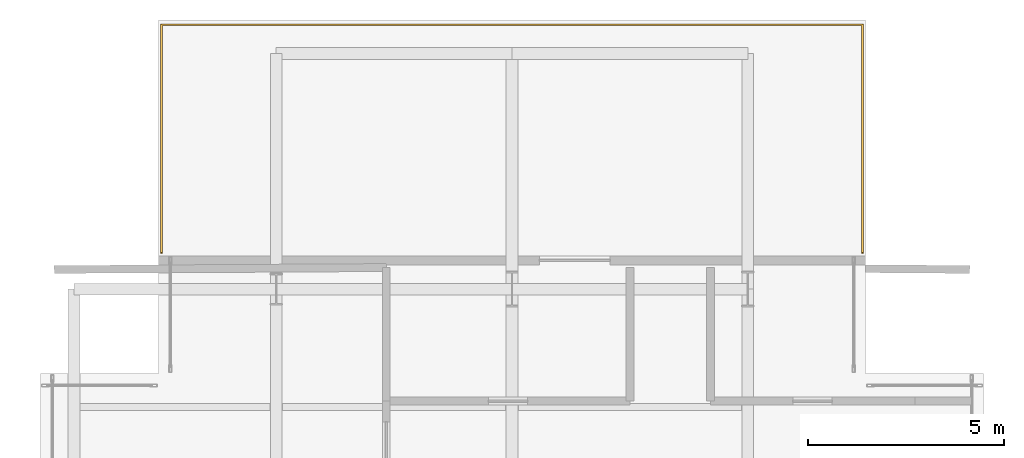
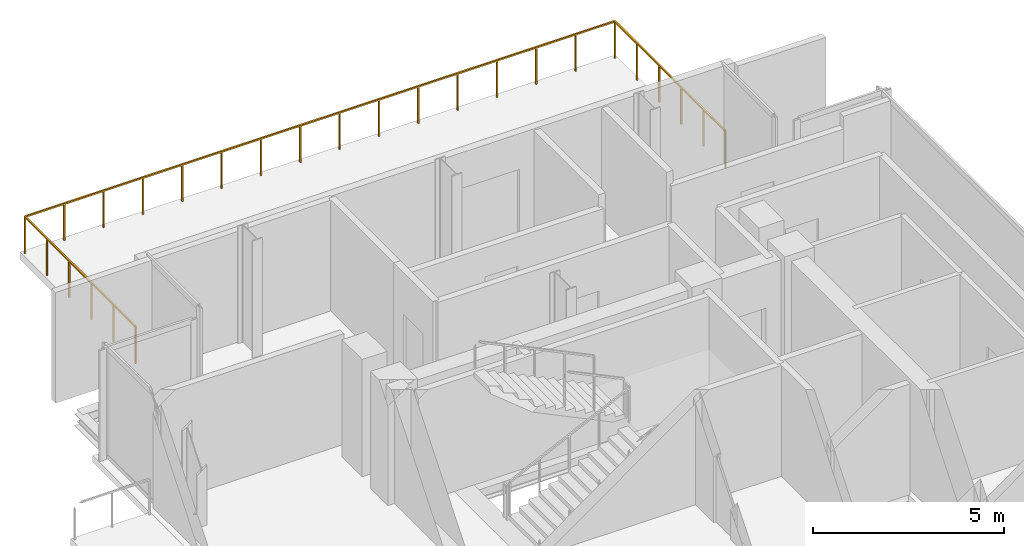
# One storey, part 28 of 28: 1 railing.
"""IFC4 building model written with IfcOpenShell, lengths in metres."""

import ifcopenshell
import ifcopenshell.guid

model = None  # the IFC model being written
_history = None  # IfcOwnerHistory: only IFC2X3 demands one
_inside = {}  # id of a spatial element -> (the spatial element, [elements in it])
_under = {}  # id of a project, library or spatial element -> (it, [spatial elements below it])
_declared = {}  # id of a project -> (the project, [libraries it declares])
_typed = {}  # id of a type object -> (the type object, [elements of that type])
_made_of = {}  # id of a material, layer set ... -> (it, [elements and type objects made of it])


def new_model(schema):
    """Start an empty IFC model of exactly this schema.

    Asked for "IFC4X3", IfcOpenShell would pick the latest addendum, in which some entities
    have other attributes; the version numbers below select the first issue.
    IFC2X3 requires an IfcOwnerHistory on every rooted entity: one is made here for all.
    """
    global model, _history
    if schema == "IFC4X3":
        model = ifcopenshell.file(schema_version=(4, 3, 0, 0))
    else:
        model = ifcopenshell.file(schema=schema)
    _inside.clear()
    _under.clear()
    _declared.clear()
    _typed.clear()
    _made_of.clear()
    _history = None
    if model.schema == "IFC2X3":
        org = make("IfcOrganization", Name="unknown")
        user = make(
            "IfcPersonAndOrganization",
            ThePerson=make("IfcPerson", FamilyName="unknown"),
            TheOrganization=org,
        )
        app = make(
            "IfcApplication",
            ApplicationDeveloper=org,
            Version="unknown",
            ApplicationFullName="unknown",
            ApplicationIdentifier="unknown",
        )
        _history = make(
            "IfcOwnerHistory",
            OwningUser=user,
            OwningApplication=app,
            ChangeAction="ADDED",
            CreationDate=0,
        )
    return model


def make(cls, **values):
    """One entity of the class cls with the attributes given. An attribute that is None is left unset."""
    return model.create_entity(
        cls, **{name: value for name, value in values.items() if value is not None}
    )


def rooted(cls, **values):
    """An entity with a GlobalId (a new one), such as an element, a storey or a relation."""
    return make(cls, GlobalId=ifcopenshell.guid.new(), OwnerHistory=_history, **values)


def si_unit(unit_type, name, prefix=None):
    """IfcSIUnit, for example si_unit("LENGTHUNIT", "METRE", prefix="MILLI")."""
    return make("IfcSIUnit", UnitType=unit_type, Prefix=prefix, Name=name)


def assignment(units):
    """IfcUnitAssignment: the units of a project."""
    return None if units is None else make("IfcUnitAssignment", Units=units)


def point(xyz):
    """IfcCartesianPoint."""
    return None if xyz is None else make("IfcCartesianPoint", Coordinates=xyz)


def direction(xyz):
    """IfcDirection."""
    return None if xyz is None else make("IfcDirection", DirectionRatios=xyz)


def frame(location, z_axis=None, x_axis=None):
    """IfcAxis2Placement3D, a coordinate frame: its origin and axes. An axis left out is left unset."""
    return make(
        "IfcAxis2Placement3D",
        Location=point(location),
        Axis=direction(z_axis),
        RefDirection=direction(x_axis),
    )


def frame_2d(location, x_axis=None):
    """IfcAxis2Placement2D, a coordinate frame in the plane: its origin and x axis."""
    return make(
        "IfcAxis2Placement2D", Location=point(location), RefDirection=direction(x_axis)
    )


def origin():
    """The frame at (0, 0, 0) with its axes left unset."""
    return frame((0.0, 0.0, 0.0))


def origin_2d():
    """The frame at (0, 0) in the plane with its x axis left unset."""
    return frame_2d((0.0, 0.0))


def place(relative_to, where):
    """IfcLocalPlacement: puts the frame where relative to a parent placement (None: the world)."""
    return make(
        "IfcLocalPlacement", PlacementRelTo=relative_to, RelativePlacement=where
    )


def context(
    kind, dimensions, precision=None, world=None, true_north=None, identifier=None
):
    """IfcGeometricRepresentationContext, for example the 3D "Model" context."""
    return make(
        "IfcGeometricRepresentationContext",
        ContextIdentifier=identifier,
        ContextType=kind,
        CoordinateSpaceDimension=dimensions,
        Precision=precision,
        WorldCoordinateSystem=world,
        TrueNorth=true_north,
    )


def subcontext(parent, identifier, kind, view, scale=None):
    """IfcGeometricRepresentationSubContext, for example "Body" below "Model"."""
    return make(
        "IfcGeometricRepresentationSubContext",
        ContextIdentifier=identifier,
        ContextType=kind,
        ParentContext=parent,
        TargetScale=scale,
        TargetView=view,
    )


def project(units=None, contexts=None):
    """IfcProject with its units and contexts."""
    return rooted(
        "IfcProject",
        Name="project",
        RepresentationContexts=contexts,
        UnitsInContext=assignment(units),
    )


def spatial(cls, under=None, at=None, **own):
    """A site, building, storey or space (cls), placed at a placement, below another one or the project."""
    s = rooted(cls, ObjectPlacement=at, **own)
    if under is not None:
        _under.setdefault(under.id(), (under, []))[1].append(s)
    return s


def profile(cls, at=None, kind="AREA", **sizes):
    """A parametric profile (cls). Its sizes go by their IFC names, for example OverallWidth=200.0."""
    return make(cls, ProfileType=kind, Position=at, **sizes)


def rectangle(**sizes):
    """IfcRectangleProfileDef."""
    return profile("IfcRectangleProfileDef", **sizes)


def extrude(swept, where, along, depth):
    """IfcExtrudedAreaSolid: the profile swept, set in the frame where, extruded along a direction by depth."""
    return make(
        "IfcExtrudedAreaSolid",
        SweptArea=swept,
        Position=where,
        ExtrudedDirection=direction(along),
        Depth=depth,
    )


def shape(context_of_items, identifier, shape_type, items):
    """IfcShapeRepresentation: the items that make up one representation, for example the "Body"."""
    return make(
        "IfcShapeRepresentation",
        ContextOfItems=context_of_items,
        RepresentationIdentifier=identifier,
        RepresentationType=shape_type,
        Items=items,
    )


def material(Name=None, Category=None):
    """IfcMaterial."""
    return make("IfcMaterial", Name=Name, Category=Category)


def made_of(thing, what):
    """Note that an element or type object is made of a material, layer set ...; save() writes the relation."""
    if what is not None:
        _made_of.setdefault(what.id(), (what, []))[1].append(thing)
    return thing


def type_object(cls, material=None, **own):
    """A type object (cls), such as IfcWallType, which elements share."""
    return made_of(rooted(cls, **own), material)


def element(
    cls,
    number,
    at=None,
    inside=None,
    cuts=None,
    type_object=None,
    material=None,
    context=None,
    identifier="Body",
    shape_type=None,
    held_by="IfcProductDefinitionShape",
    body=None,
    shapes=None,
    **own,
):
    """One element of the class cls, such as IfcWall. Its Tag is "e" and its number.

    at: its placement. inside: the storey or other place that contains it. cuts: it is an
    opening in that element (IfcRelVoidsElement). A single representation is given by context,
    identifier, shape_type and body (its items); several are given by shapes. held_by: the class
    of the entity that holds the representations. save() writes the other relations.
    """
    e = rooted(cls, Tag="e%d" % number, ObjectPlacement=at, **own)
    if body is not None:
        shapes = [shape(context, identifier, shape_type, body)]
    if shapes is not None:
        e.Representation = make(held_by, Representations=shapes)
    if inside is not None:
        _inside.setdefault(inside.id(), (inside, []))[1].append(e)
    if cuts is not None:
        rooted(
            "IfcRelVoidsElement", RelatingBuildingElement=cuts, RelatedOpeningElement=e
        )
    if type_object is not None:
        _typed.setdefault(type_object.id(), (type_object, []))[1].append(e)
    return made_of(e, material)


def aggregate(whole, parts):
    """IfcRelAggregates: a whole, such as a stair, and the parts it consists of."""
    return rooted("IfcRelAggregates", RelatingObject=whole, RelatedObjects=parts)


def save(model, path):
    """Write the relations noted so far, then the file.

    IfcRelAggregates (storeys below a building ...), IfcRelContainedInSpatialStructure (elements
    in a storey), IfcRelDefinesByType, IfcRelAssociatesMaterial and IfcRelDeclares: one each for
    every whole, place, type object, material and project.
    """
    for whole, parts in _under.values():
        aggregate(whole, parts)
    for where, things in _inside.values():
        rooted(
            "IfcRelContainedInSpatialStructure",
            RelatedElements=things,
            RelatingStructure=where,
        )
    for kind, things in _typed.values():
        rooted("IfcRelDefinesByType", RelatedObjects=things, RelatingType=kind)
    for what, things in _made_of.values():
        rooted("IfcRelAssociatesMaterial", RelatedObjects=things, RelatingMaterial=what)
    for by, libraries in _declared.values():
        rooted("IfcRelDeclares", RelatingContext=by, RelatedDefinitions=libraries)
    model.write(path)


model = new_model("IFC4")

# Units and contexts
model_context = context("Model", 3, precision=1e-05, world=origin(), true_north=direction((0.0, 1.0)))
body_context = subcontext(model_context, "Body", "Model", "MODEL_VIEW")
ifc_project = project(units=[si_unit("LENGTHUNIT", "METRE"), si_unit("AREAUNIT", "SQUARE_METRE"), si_unit("VOLUMEUNIT", "CUBIC_METRE"), si_unit("PLANEANGLEUNIT", "RADIAN"), si_unit("MASSUNIT", "GRAM", prefix="KILO"), si_unit("THERMODYNAMICTEMPERATUREUNIT", "KELVIN"), si_unit("POWERUNIT", "WATT")], contexts=[model_context])

# Site, building, storey
site_placement = place(None, origin())
site = spatial("IfcSite", under=ifc_project, at=site_placement, CompositionType="ELEMENT")
building_placement = place(site_placement, origin())
building = spatial("IfcBuilding", under=site, at=building_placement, Name="Svarakhadi Broadcast Tower", CompositionType="ELEMENT")
storey_placement = place(building_placement, frame((0.0, 0.0, 169.199951171875)))
storey = spatial("IfcBuildingStorey", under=building, at=storey_placement, Name="L41", CompositionType="ELEMENT", Elevation=169.199951171875)

# Railing
ifc_material = material(Name="Anodised Bronze Aluminium AA 6063-T6", Category="aluminium")
railing_type = type_object("IfcRailingType", Name="Guard_Terrace_GR02", PredefinedType="BALUSTRADE", material=ifc_material)
railing_placement = place(storey_placement, frame((3.080078125, 36.080078125, 0.0)))
element("IfcRailing", 1, at=railing_placement, inside=storey, type_object=railing_type, Name="L41 North Setback Sky Garden Guard GR-02", PredefinedType="BALUSTRADE", context=body_context, shape_type="SweptSolid", body=[
    extrude(rectangle(XDim=0.048095703125, YDim=0.048095703125, at=origin_2d()), frame((0.0, 0.0, 1.17578125), z_axis=(0.0, 1.0, 0.0), x_axis=(-1.0, 0.0, 0.0)), (0.0, 0.0, 1.0), 5.7998046875),
    extrude(rectangle(XDim=0.048095703125, YDim=0.048095703125, at=origin_2d()), frame((0.0, 5.7998046875, 1.17578125), z_axis=(1.0, 0.0, 0.0), x_axis=(0.0, 1.0, 0.0)), (0.0, 0.0, 1.0), 17.83984375),
    extrude(rectangle(XDim=0.048095703125, YDim=0.048095703125, at=origin_2d()), frame((17.83984375, 5.7998046875, 1.17578125), z_axis=(0.0, -1.0, 0.0), x_axis=(1.0, 0.0, 0.0)), (0.0, 0.0, 1.0), 5.7998046875),
    extrude(rectangle(XDim=0.0419921875, YDim=0.0419921875, at=origin_2d()), origin(), (0.0, 0.0, 1.0), 1.15185546875),
    extrude(rectangle(XDim=0.0419921875, YDim=0.0419921875, at=origin_2d()), frame((0.0, 1.159912109375, 0.0)), (0.0, 0.0, 1.0), 1.15185546875),
    extrude(rectangle(XDim=0.0419921875, YDim=0.0419921875, at=origin_2d()), frame((0.0, 2.31982421875, 0.0)), (0.0, 0.0, 1.0), 1.15185546875),
    extrude(rectangle(XDim=0.0419921875, YDim=0.0419921875, at=origin_2d()), frame((0.0, 3.47998046875, 0.0)), (0.0, 0.0, 1.0), 1.15185546875),
    extrude(rectangle(XDim=0.0419921875, YDim=0.0419921875, at=origin_2d()), frame((0.0, 4.639892578125, 0.0)), (0.0, 0.0, 1.0), 1.15185546875),
    extrude(rectangle(XDim=0.0419921875, YDim=0.0419921875, at=origin_2d()), frame((0.0, 5.7998046875, 0.0)), (0.0, 0.0, 1.0), 1.15185546875),
    extrude(rectangle(XDim=0.0419921875, YDim=0.0419921875, at=origin_2d()), frame((1.189208984375, 5.7998046875, 0.0)), (0.0, 0.0, 1.0), 1.15185546875),
    extrude(rectangle(XDim=0.0419921875, YDim=0.0419921875, at=origin_2d()), frame((2.378662109375, 5.7998046875, 0.0)), (0.0, 0.0, 1.0), 1.15185546875),
    extrude(rectangle(XDim=0.0419921875, YDim=0.0419921875, at=origin_2d()), frame((3.56787109375, 5.7998046875, 0.0)), (0.0, 0.0, 1.0), 1.15185546875),
    extrude(rectangle(XDim=0.0419921875, YDim=0.0419921875, at=origin_2d()), frame((4.75732421875, 5.7998046875, 0.0)), (0.0, 0.0, 1.0), 1.15185546875),
    extrude(rectangle(XDim=0.0419921875, YDim=0.0419921875, at=origin_2d()), frame((5.946533203125, 5.7998046875, 0.0)), (0.0, 0.0, 1.0), 1.15185546875),
    extrude(rectangle(XDim=0.0419921875, YDim=0.0419921875, at=origin_2d()), frame((7.135986328125, 5.7998046875, 0.0)), (0.0, 0.0, 1.0), 1.15185546875),
    extrude(rectangle(XDim=0.0419921875, YDim=0.0419921875, at=origin_2d()), frame((8.3251953125, 5.7998046875, 0.0)), (0.0, 0.0, 1.0), 1.15185546875),
    extrude(rectangle(XDim=0.0419921875, YDim=0.0419921875, at=origin_2d()), frame((9.5146484375, 5.7998046875, 0.0)), (0.0, 0.0, 1.0), 1.15185546875),
    extrude(rectangle(XDim=0.0419921875, YDim=0.0419921875, at=origin_2d()), frame((10.703857421875, 5.7998046875, 0.0)), (0.0, 0.0, 1.0), 1.15185546875),
    extrude(rectangle(XDim=0.0419921875, YDim=0.0419921875, at=origin_2d()), frame((11.893310546875, 5.7998046875, 0.0)), (0.0, 0.0, 1.0), 1.15185546875),
    extrude(rectangle(XDim=0.0419921875, YDim=0.0419921875, at=origin_2d()), frame((13.08251953125, 5.7998046875, 0.0)), (0.0, 0.0, 1.0), 1.15185546875),
    extrude(rectangle(XDim=0.0419921875, YDim=0.0419921875, at=origin_2d()), frame((14.27197265625, 5.7998046875, 0.0)), (0.0, 0.0, 1.0), 1.15185546875),
    extrude(rectangle(XDim=0.0419921875, YDim=0.0419921875, at=origin_2d()), frame((15.461181640625, 5.7998046875, 0.0)), (0.0, 0.0, 1.0), 1.15185546875),
    extrude(rectangle(XDim=0.0419921875, YDim=0.0419921875, at=origin_2d()), frame((16.650634765625, 5.7998046875, 0.0)), (0.0, 0.0, 1.0), 1.15185546875),
    extrude(rectangle(XDim=0.0419921875, YDim=0.0419921875, at=origin_2d()), frame((17.83984375, 5.7998046875, 0.0)), (0.0, 0.0, 1.0), 1.15185546875),
    extrude(rectangle(XDim=0.0419921875, YDim=0.0419921875, at=origin_2d()), frame((17.83984375, 4.639892578125, 0.0)), (0.0, 0.0, 1.0), 1.15185546875),
    extrude(rectangle(XDim=0.0419921875, YDim=0.0419921875, at=origin_2d()), frame((17.83984375, 3.47998046875, 0.0)), (0.0, 0.0, 1.0), 1.15185546875),
    extrude(rectangle(XDim=0.0419921875, YDim=0.0419921875, at=origin_2d()), frame((17.83984375, 2.31982421875, 0.0)), (0.0, 0.0, 1.0), 1.15185546875),
    extrude(rectangle(XDim=0.0419921875, YDim=0.0419921875, at=origin_2d()), frame((17.83984375, 1.159912109375, 0.0)), (0.0, 0.0, 1.0), 1.15185546875),
    extrude(rectangle(XDim=0.0419921875, YDim=0.0419921875, at=origin_2d()), frame((17.83984375, 0.0, 0.0)), (0.0, 0.0, 1.0), 1.15185546875),
])

save(model, "model.ifc")
